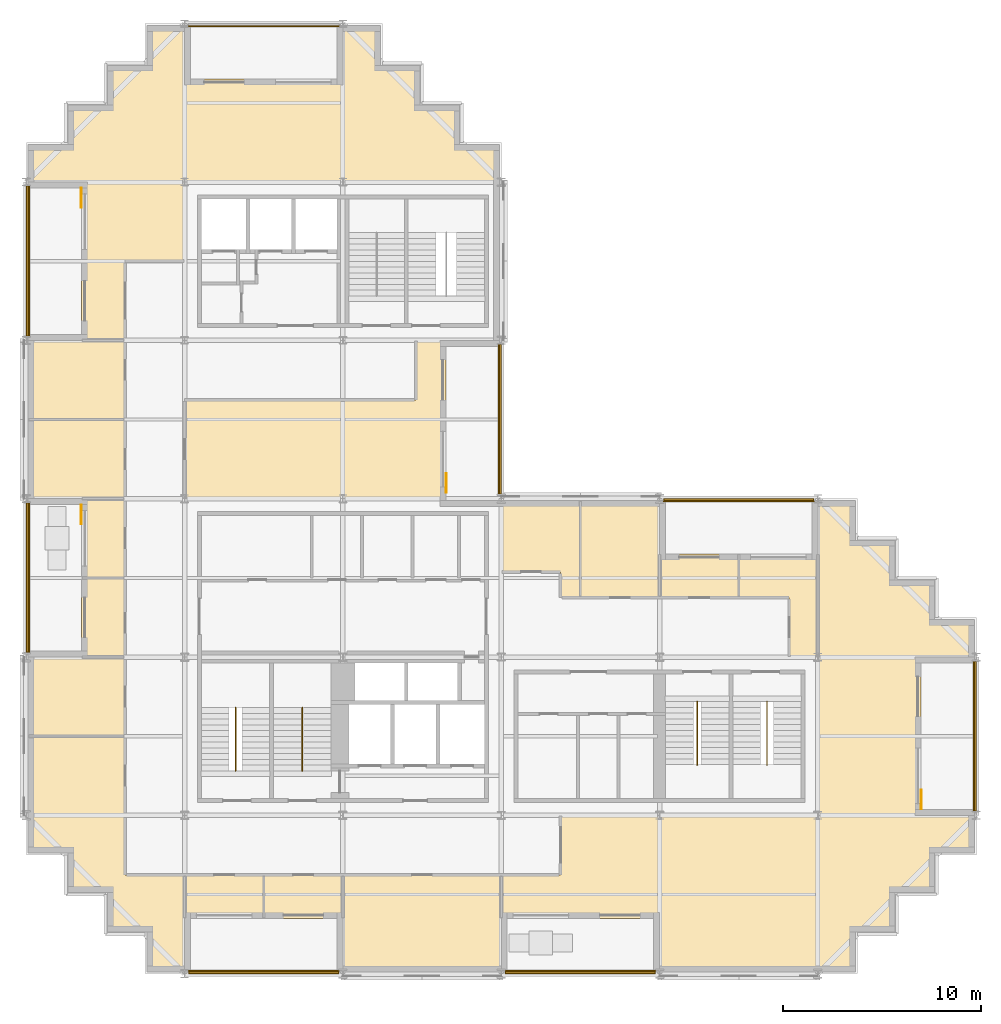
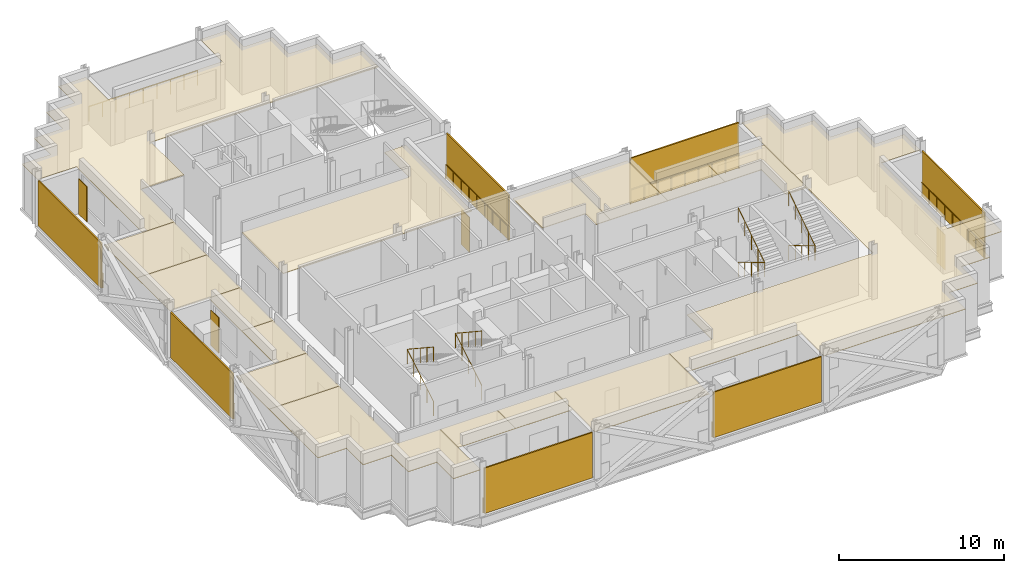
# One storey, part 10 of 12: 16 coverings, 12 railings, 11 shading devices.
"""IFC4 building model written with IfcOpenShell, lengths in metres."""

from ifc_helpers import new_model, si_unit, direction, frame, origin, origin_2d, place, context, subcontext, project, spatial, polyline, rectangle, circle, outline, extrude, material, layer, layer_set, type_object, element, save


model = new_model("IFC4")

# Units and contexts
model_context = context("Model", 3, precision=1e-05, world=origin(), true_north=direction((0.0, 1.0)))
body_context = subcontext(model_context, "Body", "Model", "MODEL_VIEW")
ifc_project = project(units=[si_unit("LENGTHUNIT", "METRE"), si_unit("AREAUNIT", "SQUARE_METRE"), si_unit("VOLUMEUNIT", "CUBIC_METRE"), si_unit("PLANEANGLEUNIT", "RADIAN"), si_unit("MASSUNIT", "GRAM", prefix="KILO")], contexts=[model_context])

# Site, building, storey
site_placement = place(None, origin())
site = spatial("IfcSite", under=ifc_project, at=site_placement, CompositionType="ELEMENT")
building_placement = place(site_placement, origin())
building = spatial("IfcBuilding", under=site, at=building_placement, Name="Immortelle Media Tower", CompositionType="ELEMENT")
storey_placement = place(building_placement, frame((0.0, 0.0, 136.800048828125)))
storey = spatial("IfcBuildingStorey", under=building, at=storey_placement, Name="L27", CompositionType="ELEMENT", Elevation=136.800048828125)

# Railings
ifc_material_1 = material(Name="Powder-coated aluminium fretwork panel, laminated glass backing", Category="aluminium")
railing_type_1 = type_object("IfcRailingType", Name="Fretwork balustrade 1100", PredefinedType="BALUSTRADE", material=ifc_material_1)
railing_1_placement = place(storey_placement, frame((8.20556640625, 0.139892578125, 0.0)))
element("IfcRailing", 1, at=railing_1_placement, inside=storey, type_object=railing_type_1, Name="Fretwork balustrade L27 S0", PredefinedType="BALUSTRADE", context=body_context, shape_type="SweptSolid", body=[
    extrude(circle(Radius=0.02490234375, at=origin_2d()), frame((0.0, 0.0, 1.0751953125), z_axis=(1.0, 0.0, 0.0), x_axis=(0.0, 1.0, 0.0)), (0.0, 0.0, 1.0), 7.58251953125),
    extrude(circle(Radius=0.02001953125, at=origin_2d()), origin(), (0.0, 0.0, 1.0), 1.050048828125),
    extrude(circle(Radius=0.02001953125, at=origin_2d()), frame((0.94775390625, 0.0, 0.0)), (0.0, 0.0, 1.0), 1.050048828125),
    extrude(circle(Radius=0.02001953125, at=origin_2d()), frame((1.8955078125, 0.0, 0.0)), (0.0, 0.0, 1.0), 1.050048828125),
    extrude(circle(Radius=0.02001953125, at=origin_2d()), frame((2.843505859375, 0.0, 0.0)), (0.0, 0.0, 1.0), 1.050048828125),
    extrude(circle(Radius=0.02001953125, at=origin_2d()), frame((3.791259765625, 0.0, 0.0)), (0.0, 0.0, 1.0), 1.050048828125),
    extrude(circle(Radius=0.02001953125, at=origin_2d()), frame((4.739013671875, 0.0, 0.0)), (0.0, 0.0, 1.0), 1.050048828125),
    extrude(circle(Radius=0.02001953125, at=origin_2d()), frame((5.68701171875, 0.0, 0.0)), (0.0, 0.0, 1.0), 1.050048828125),
    extrude(circle(Radius=0.02001953125, at=origin_2d()), frame((6.634765625, 0.0, 0.0)), (0.0, 0.0, 1.0), 1.050048828125),
    extrude(circle(Radius=0.02001953125, at=origin_2d()), frame((7.58251953125, 0.0, 0.0)), (0.0, 0.0, 1.0), 1.050048828125),
])
railing_2_placement = place(storey_placement, frame((24.2119140625, 0.139892578125, 0.0)))
element("IfcRailing", 2, at=railing_2_placement, inside=storey, type_object=railing_type_1, Name="Fretwork balustrade L27 S2", PredefinedType="BALUSTRADE", context=body_context, shape_type="SweptSolid", body=[
    extrude(circle(Radius=0.02490234375, at=origin_2d()), frame((0.0, 0.0, 1.0751953125), z_axis=(1.0, 0.0, 0.0), x_axis=(0.0, 1.0, 0.0)), (0.0, 0.0, 1.0), 7.576171875),
    extrude(circle(Radius=0.02001953125, at=origin_2d()), origin(), (0.0, 0.0, 1.0), 1.050048828125),
    extrude(circle(Radius=0.02001953125, at=origin_2d()), frame((0.947021484375, 0.0, 0.0)), (0.0, 0.0, 1.0), 1.050048828125),
    extrude(circle(Radius=0.02001953125, at=origin_2d()), frame((1.89404296875, 0.0, 0.0)), (0.0, 0.0, 1.0), 1.050048828125),
    extrude(circle(Radius=0.02001953125, at=origin_2d()), frame((2.841064453125, 0.0, 0.0)), (0.0, 0.0, 1.0), 1.050048828125),
    extrude(circle(Radius=0.02001953125, at=origin_2d()), frame((3.7880859375, 0.0, 0.0)), (0.0, 0.0, 1.0), 1.050048828125),
    extrude(circle(Radius=0.02001953125, at=origin_2d()), frame((4.735107421875, 0.0, 0.0)), (0.0, 0.0, 1.0), 1.050048828125),
    extrude(circle(Radius=0.02001953125, at=origin_2d()), frame((5.68212890625, 0.0, 0.0)), (0.0, 0.0, 1.0), 1.050048828125),
    extrude(circle(Radius=0.02001953125, at=origin_2d()), frame((6.629150390625, 0.0, 0.0)), (0.0, 0.0, 1.0), 1.050048828125),
    extrude(circle(Radius=0.02001953125, at=origin_2d()), frame((7.576171875, 0.0, 0.0)), (0.0, 0.0, 1.0), 1.050048828125),
])
railing_3_placement = place(storey_placement, frame((47.860107421875, 8.217041015625, 0.0)))
element("IfcRailing", 3, at=railing_3_placement, inside=storey, type_object=railing_type_1, Name="Fretwork balustrade L27 E0", PredefinedType="BALUSTRADE", context=body_context, shape_type="SweptSolid", body=[
    extrude(circle(Radius=0.02490234375, at=origin_2d()), frame((0.0, 0.0, 1.0751953125), z_axis=(0.0, 1.0, 0.0), x_axis=(-1.0, 0.0, 0.0)), (0.0, 0.0, 1.0), 7.56591796875),
    extrude(circle(Radius=0.02001953125, at=origin_2d()), origin(), (0.0, 0.0, 1.0), 1.050048828125),
    extrude(circle(Radius=0.02001953125, at=origin_2d()), frame((0.0, 0.94580078125, 0.0)), (0.0, 0.0, 1.0), 1.050048828125),
    extrude(circle(Radius=0.02001953125, at=origin_2d()), frame((0.0, 1.8916015625, 0.0)), (0.0, 0.0, 1.0), 1.050048828125),
    extrude(circle(Radius=0.02001953125, at=origin_2d()), frame((0.0, 2.837158203125, 0.0)), (0.0, 0.0, 1.0), 1.050048828125),
    extrude(circle(Radius=0.02001953125, at=origin_2d()), frame((0.0, 3.782958984375, 0.0)), (0.0, 0.0, 1.0), 1.050048828125),
    extrude(circle(Radius=0.02001953125, at=origin_2d()), frame((0.0, 4.728759765625, 0.0)), (0.0, 0.0, 1.0), 1.050048828125),
    extrude(circle(Radius=0.02001953125, at=origin_2d()), frame((0.0, 5.67431640625, 0.0)), (0.0, 0.0, 1.0), 1.050048828125),
    extrude(circle(Radius=0.02001953125, at=origin_2d()), frame((0.0, 6.6201171875, 0.0)), (0.0, 0.0, 1.0), 1.050048828125),
    extrude(circle(Radius=0.02001953125, at=origin_2d()), frame((0.0, 7.56591796875, 0.0)), (0.0, 0.0, 1.0), 1.050048828125),
])
railing_4_placement = place(storey_placement, frame((39.79443359375, 23.860107421875, 0.0)))
element("IfcRailing", 4, at=railing_4_placement, inside=storey, type_object=railing_type_1, Name="Fretwork balustrade L27 N0", PredefinedType="BALUSTRADE", context=body_context, shape_type="SweptSolid", body=[
    extrude(circle(Radius=0.02490234375, at=origin_2d()), frame((0.0, 0.0, 1.0751953125), z_axis=(-1.0, 0.0, 0.0), x_axis=(0.0, -1.0, 0.0)), (0.0, 0.0, 1.0), 7.58251953125),
    extrude(circle(Radius=0.02001953125, at=origin_2d()), origin(), (0.0, 0.0, 1.0), 1.050048828125),
    extrude(circle(Radius=0.02001953125, at=origin_2d()), frame((-0.94775390625, 0.0, 0.0)), (0.0, 0.0, 1.0), 1.050048828125),
    extrude(circle(Radius=0.02001953125, at=origin_2d()), frame((-1.8955078125, 0.0, 0.0)), (0.0, 0.0, 1.0), 1.050048828125),
    extrude(circle(Radius=0.02001953125, at=origin_2d()), frame((-2.843505859375, 0.0, 0.0)), (0.0, 0.0, 1.0), 1.050048828125),
    extrude(circle(Radius=0.02001953125, at=origin_2d()), frame((-3.791259765625, 0.0, 0.0)), (0.0, 0.0, 1.0), 1.050048828125),
    extrude(circle(Radius=0.02001953125, at=origin_2d()), frame((-4.739013671875, 0.0, 0.0)), (0.0, 0.0, 1.0), 1.050048828125),
    extrude(circle(Radius=0.02001953125, at=origin_2d()), frame((-5.68701171875, 0.0, 0.0)), (0.0, 0.0, 1.0), 1.050048828125),
    extrude(circle(Radius=0.02001953125, at=origin_2d()), frame((-6.634765625, 0.0, 0.0)), (0.0, 0.0, 1.0), 1.050048828125),
    extrude(circle(Radius=0.02001953125, at=origin_2d()), frame((-7.58251953125, 0.0, 0.0)), (0.0, 0.0, 1.0), 1.050048828125),
])
railing_5_placement = place(storey_placement, frame((23.860107421875, 24.237548828125, 0.0)))
element("IfcRailing", 5, at=railing_5_placement, inside=storey, type_object=railing_type_1, Name="Fretwork balustrade L27 E0", PredefinedType="BALUSTRADE", context=body_context, shape_type="SweptSolid", body=[
    extrude(circle(Radius=0.02490234375, at=origin_2d()), frame((0.0, 0.0, 1.0751953125), z_axis=(0.0, 1.0, 0.0), x_axis=(-1.0, 0.0, 0.0)), (0.0, 0.0, 1.0), 7.56298828125),
    extrude(circle(Radius=0.02001953125, at=origin_2d()), origin(), (0.0, 0.0, 1.0), 1.050048828125),
    extrude(circle(Radius=0.02001953125, at=origin_2d()), frame((0.0, 0.9453125, 0.0)), (0.0, 0.0, 1.0), 1.050048828125),
    extrude(circle(Radius=0.02001953125, at=origin_2d()), frame((0.0, 1.890625, 0.0)), (0.0, 0.0, 1.0), 1.050048828125),
    extrude(circle(Radius=0.02001953125, at=origin_2d()), frame((0.0, 2.836181640625, 0.0)), (0.0, 0.0, 1.0), 1.050048828125),
    extrude(circle(Radius=0.02001953125, at=origin_2d()), frame((0.0, 3.781494140625, 0.0)), (0.0, 0.0, 1.0), 1.050048828125),
    extrude(circle(Radius=0.02001953125, at=origin_2d()), frame((0.0, 4.726806640625, 0.0)), (0.0, 0.0, 1.0), 1.050048828125),
    extrude(circle(Radius=0.02001953125, at=origin_2d()), frame((0.0, 5.67236328125, 0.0)), (0.0, 0.0, 1.0), 1.050048828125),
    extrude(circle(Radius=0.02001953125, at=origin_2d()), frame((0.0, 6.61767578125, 0.0)), (0.0, 0.0, 1.0), 1.050048828125),
    extrude(circle(Radius=0.02001953125, at=origin_2d()), frame((0.0, 7.56298828125, 0.0)), (0.0, 0.0, 1.0), 1.050048828125),
])
railing_6_placement = place(storey_placement, frame((15.802978515625, 47.860107421875, 0.0)))
element("IfcRailing", 6, at=railing_6_placement, inside=storey, type_object=railing_type_1, Name="Fretwork balustrade L27 N0", PredefinedType="BALUSTRADE", context=body_context, shape_type="SweptSolid", body=[
    extrude(circle(Radius=0.02490234375, at=origin_2d()), frame((0.0, 0.0, 1.0751953125), z_axis=(-1.0, 0.0, 0.0), x_axis=(0.0, -1.0, 0.0)), (0.0, 0.0, 1.0), 7.60595703125),
    extrude(circle(Radius=0.02001953125, at=origin_2d()), origin(), (0.0, 0.0, 1.0), 1.050048828125),
    extrude(circle(Radius=0.02001953125, at=origin_2d()), frame((-0.95068359375, 0.0, 0.0)), (0.0, 0.0, 1.0), 1.050048828125),
    extrude(circle(Radius=0.02001953125, at=origin_2d()), frame((-1.9013671875, 0.0, 0.0)), (0.0, 0.0, 1.0), 1.050048828125),
    extrude(circle(Radius=0.02001953125, at=origin_2d()), frame((-2.852294921875, 0.0, 0.0)), (0.0, 0.0, 1.0), 1.050048828125),
    extrude(circle(Radius=0.02001953125, at=origin_2d()), frame((-3.802978515625, 0.0, 0.0)), (0.0, 0.0, 1.0), 1.050048828125),
    extrude(circle(Radius=0.02001953125, at=origin_2d()), frame((-4.753662109375, 0.0, 0.0)), (0.0, 0.0, 1.0), 1.050048828125),
    extrude(circle(Radius=0.02001953125, at=origin_2d()), frame((-5.70458984375, 0.0, 0.0)), (0.0, 0.0, 1.0), 1.050048828125),
    extrude(circle(Radius=0.02001953125, at=origin_2d()), frame((-6.6552734375, 0.0, 0.0)), (0.0, 0.0, 1.0), 1.050048828125),
    extrude(circle(Radius=0.02001953125, at=origin_2d()), frame((-7.60595703125, 0.0, 0.0)), (0.0, 0.0, 1.0), 1.050048828125),
])
railing_7_placement = place(storey_placement, frame((0.139892578125, 39.81201171875, 0.0)))
element("IfcRailing", 7, at=railing_7_placement, inside=storey, type_object=railing_type_1, Name="Fretwork balustrade L27 W0", PredefinedType="BALUSTRADE", context=body_context, shape_type="SweptSolid", body=[
    extrude(circle(Radius=0.02490234375, at=origin_2d()), frame((0.0, 0.0, 1.0751953125), z_axis=(0.0, -1.0, 0.0), x_axis=(1.0, 0.0, 0.0)), (0.0, 0.0, 1.0), 7.612548828125),
    extrude(circle(Radius=0.02001953125, at=origin_2d()), origin(), (0.0, 0.0, 1.0), 1.050048828125),
    extrude(circle(Radius=0.02001953125, at=origin_2d()), frame((0.0, -0.95166015625, 0.0)), (0.0, 0.0, 1.0), 1.050048828125),
    extrude(circle(Radius=0.02001953125, at=origin_2d()), frame((0.0, -1.903076171875, 0.0)), (0.0, 0.0, 1.0), 1.050048828125),
    extrude(circle(Radius=0.02001953125, at=origin_2d()), frame((0.0, -2.854736328125, 0.0)), (0.0, 0.0, 1.0), 1.050048828125),
    extrude(circle(Radius=0.02001953125, at=origin_2d()), frame((0.0, -3.80615234375, 0.0)), (0.0, 0.0, 1.0), 1.050048828125),
    extrude(circle(Radius=0.02001953125, at=origin_2d()), frame((0.0, -4.7578125, 0.0)), (0.0, 0.0, 1.0), 1.050048828125),
    extrude(circle(Radius=0.02001953125, at=origin_2d()), frame((0.0, -5.70947265625, 0.0)), (0.0, 0.0, 1.0), 1.050048828125),
    extrude(circle(Radius=0.02001953125, at=origin_2d()), frame((0.0, -6.660888671875, 0.0)), (0.0, 0.0, 1.0), 1.050048828125),
    extrude(circle(Radius=0.02001953125, at=origin_2d()), frame((0.0, -7.612548828125, 0.0)), (0.0, 0.0, 1.0), 1.050048828125),
])
railing_8_placement = place(storey_placement, frame((0.139892578125, 23.800537109375, 0.0)))
element("IfcRailing", 8, at=railing_8_placement, inside=storey, type_object=railing_type_1, Name="Fretwork balustrade L27 W2", PredefinedType="BALUSTRADE", context=body_context, shape_type="SweptSolid", body=[
    extrude(circle(Radius=0.02490234375, at=origin_2d()), frame((0.0, 0.0, 1.0751953125), z_axis=(0.0, -1.0, 0.0), x_axis=(1.0, 0.0, 0.0)), (0.0, 0.0, 1.0), 7.56298828125),
    extrude(circle(Radius=0.02001953125, at=origin_2d()), origin(), (0.0, 0.0, 1.0), 1.050048828125),
    extrude(circle(Radius=0.02001953125, at=origin_2d()), frame((0.0, -0.9453125, 0.0)), (0.0, 0.0, 1.0), 1.050048828125),
    extrude(circle(Radius=0.02001953125, at=origin_2d()), frame((0.0, -1.890625, 0.0)), (0.0, 0.0, 1.0), 1.050048828125),
    extrude(circle(Radius=0.02001953125, at=origin_2d()), frame((0.0, -2.836181640625, 0.0)), (0.0, 0.0, 1.0), 1.050048828125),
    extrude(circle(Radius=0.02001953125, at=origin_2d()), frame((0.0, -3.781494140625, 0.0)), (0.0, 0.0, 1.0), 1.050048828125),
    extrude(circle(Radius=0.02001953125, at=origin_2d()), frame((0.0, -4.726806640625, 0.0)), (0.0, 0.0, 1.0), 1.050048828125),
    extrude(circle(Radius=0.02001953125, at=origin_2d()), frame((0.0, -5.67236328125, 0.0)), (0.0, 0.0, 1.0), 1.050048828125),
    extrude(circle(Radius=0.02001953125, at=origin_2d()), frame((0.0, -6.61767578125, 0.0)), (0.0, 0.0, 1.0), 1.050048828125),
    extrude(circle(Radius=0.02001953125, at=origin_2d()), frame((0.0, -7.56298828125, 0.0)), (0.0, 0.0, 1.0), 1.050048828125),
])

# Shading devices
ifc_material_2 = material(Name="Pale aluminium louvre blades", Category="aluminium")
ifc_layer_1 = layer(ifc_material_2, 0.10009765625)
ifc_layer_set_1 = layer_set([ifc_layer_1], Name="Pale aluminium louvre blades")
shading_device_type_1 = type_object("IfcShadingDeviceType", Name="Jalousie screen 100", PredefinedType="JALOUSIE", material=ifc_layer_set_1)
shading_device_1_placement = place(storey_placement, frame((11.996826171875, 0.050048828125, 0.0), z_axis=(0.0, 0.0, 1.0), x_axis=(1.0, 0.0, 0.0)))
element("IfcShadingDevice", 9, at=shading_device_1_placement, inside=storey, type_object=shading_device_type_1, Name="Jalousie screen L27 S0", PredefinedType="JALOUSIE", context=body_context, shape_type="SweptSolid", body=[
    extrude(rectangle(XDim=7.58251953125, YDim=0.10009765625, at=origin_2d()), origin(), (0.0, 0.0, 1.0), 3.35693359375),
])
shading_device_2_placement = place(storey_placement, frame((28.0, 0.050048828125, 0.0), z_axis=(0.0, 0.0, 1.0), x_axis=(1.0, 0.0, 0.0)))
element("IfcShadingDevice", 10, at=shading_device_2_placement, inside=storey, type_object=shading_device_type_1, Name="Jalousie screen L27 S2", PredefinedType="JALOUSIE", context=body_context, shape_type="SweptSolid", body=[
    extrude(rectangle(XDim=7.575927734375, YDim=0.10009765625, at=origin_2d()), origin(), (0.0, 0.0, 1.0), 3.35693359375),
])
shading_device_3_placement = place(storey_placement, frame((47.949951171875, 12.0, 0.0), z_axis=(0.0, 0.0, 1.0), x_axis=(0.0, 1.0, 0.0)))
element("IfcShadingDevice", 11, at=shading_device_3_placement, inside=storey, type_object=shading_device_type_1, Name="Jalousie screen L27 E0", PredefinedType="JALOUSIE", context=body_context, shape_type="SweptSolid", body=[
    extrude(rectangle(XDim=7.56591796875, YDim=0.10009765625, at=origin_2d()), origin(), (0.0, 0.0, 1.0), 3.35693359375),
])
shading_device_4_placement = place(storey_placement, frame((36.003173828125, 23.949951171875, 0.0), z_axis=(0.0, 0.0, 1.0), x_axis=(-1.0, 0.0, 0.0)))
element("IfcShadingDevice", 12, at=shading_device_4_placement, inside=storey, type_object=shading_device_type_1, Name="Jalousie screen L27 N0", PredefinedType="JALOUSIE", context=body_context, shape_type="SweptSolid", body=[
    extrude(rectangle(XDim=7.58251953125, YDim=0.10009765625, at=origin_2d()), origin(), (0.0, 0.0, 1.0), 3.35693359375),
])
shading_device_5_placement = place(storey_placement, frame((23.949951171875, 28.01904296875, 0.0), z_axis=(0.0, 0.0, 1.0), x_axis=(0.0, 1.0, 0.0)))
element("IfcShadingDevice", 13, at=shading_device_5_placement, inside=storey, type_object=shading_device_type_1, Name="Jalousie screen L27 E0", PredefinedType="JALOUSIE", context=body_context, shape_type="SweptSolid", body=[
    extrude(rectangle(XDim=7.56298828125, YDim=0.10009765625, at=origin_2d()), origin(), (0.0, 0.0, 1.0), 3.35693359375),
])
shading_device_6_placement = place(storey_placement, frame((0.050048828125, 36.005859375, 0.0), z_axis=(0.0, 0.0, 1.0), x_axis=(0.0, -1.0, 0.0)))
element("IfcShadingDevice", 14, at=shading_device_6_placement, inside=storey, type_object=shading_device_type_1, Name="Jalousie screen L27 W0", PredefinedType="JALOUSIE", context=body_context, shape_type="SweptSolid", body=[
    extrude(rectangle(XDim=7.612548828125, YDim=0.10009765625, at=origin_2d()), origin(), (0.0, 0.0, 1.0), 3.35693359375),
])
shading_device_7_placement = place(storey_placement, frame((0.050048828125, 20.01904296875, 0.0), z_axis=(0.0, 0.0, 1.0), x_axis=(0.0, -1.0, 0.0)))
element("IfcShadingDevice", 15, at=shading_device_7_placement, inside=storey, type_object=shading_device_type_1, Name="Jalousie screen L27 W2", PredefinedType="JALOUSIE", context=body_context, shape_type="SweptSolid", body=[
    extrude(rectangle(XDim=7.56298828125, YDim=0.10009765625, at=origin_2d()), origin(), (0.0, 0.0, 1.0), 3.35693359375),
])
ifc_material_3 = material(Name="Pale aluminium louvre blades in a folding frame", Category="aluminium")
ifc_layer_2 = layer(ifc_material_3, 0.050048828125)
ifc_layer_set_2 = layer_set([ifc_layer_2], Name="Pale aluminium louvre blades in a folding frame")
shading_device_type_2 = type_object("IfcShadingDeviceType", Name="Louvred loggia shutter", PredefinedType="SHUTTER", material=ifc_layer_set_2)
for number, where, z_axis, x_axis, name in (
    (16, (45.22509765625, 8.800048828125, 0.0), (0.0, 0.0, 1.0), (0.0, 1.0, 0.0), "Loggia shutter L27 E0"),
    (17, (21.22509765625, 24.800048828125, 0.0), (0.0, 0.0, 1.0), (0.0, 1.0, 0.0), "Loggia shutter L27 E0"),
    (18, (2.77490234375, 39.199951171875, 0.0), (0.0, 0.0, 1.0), (0.0, -1.0, 0.0), "Loggia shutter L27 W0"),
    (19, (2.77490234375, 23.199951171875, 0.0), (0.0, 0.0, 1.0), (0.0, -1.0, 0.0), "Loggia shutter L27 W2"),
):
    element("IfcShadingDevice", number, at=place(storey_placement, frame(where, z_axis=z_axis, x_axis=x_axis)), inside=storey, type_object=shading_device_type_2, Name=name, PredefinedType="SHUTTER", context=body_context, shape_type="SweptSolid", body=[
        extrude(rectangle(XDim=1.0, YDim=0.050048828125, at=origin_2d()), origin(), (0.0, 0.0, 1.0), 2.60009765625),
    ])

# Railings
ifc_material_4 = material(Name="Stainless steel AISI 316", Category="steel")
railing_type_2 = type_object("IfcRailingType", Name="Stair guard 1100", PredefinedType="GUARDRAIL", material=ifc_material_4)
for number, where, name in (
    (20, (10.574951171875, 10.25, 0.175048828125), "Stair guard SW1"),
    (21, (13.949951171875, 10.25, 0.175048828125), "Stair guard SW2"),
):
    element("IfcRailing", number, at=place(storey_placement, frame(where)), inside=storey, type_object=railing_type_2, Name=name, PredefinedType="GUARDRAIL", context=body_context, shape_type="SweptSolid", body=[
        extrude(circle(Radius=0.02392578125, at=origin_2d()), frame((0.0, 0.0, 1.076171875), z_axis=(0.0, 0.856206652436, 0.516633495163), x_axis=(-1.0, 0.0, 0.0)), (0.0, 0.0, 1.0), 3.7255859375),
        extrude(circle(Radius=0.02392578125, at=origin_2d()), frame((0.0, 3.18994140625, 3.0009765625), z_axis=(0.0, -0.835242474824, 0.549881812983), x_axis=(1.0, 0.0, 0.0)), (0.0, 0.0, 1.0), 3.819091796875),
        extrude(circle(Radius=0.02099609375, at=origin_2d()), origin(), (0.0, 0.0, 1.0), 1.052001953125),
        extrude(circle(Radius=0.02099609375, at=origin_2d()), frame((0.0, 0.79736328125, 0.481201171875)), (0.0, 0.0, 1.0), 1.052001953125),
        extrude(circle(Radius=0.02099609375, at=origin_2d()), frame((0.0, 1.594970703125, 0.96240234375)), (0.0, 0.0, 1.0), 1.052001953125),
        extrude(circle(Radius=0.02099609375, at=origin_2d()), frame((0.0, 2.392578125, 1.443603515625)), (0.0, 0.0, 1.0), 1.052001953125),
        extrude(circle(Radius=0.02099609375, at=origin_2d()), frame((0.0, 3.18994140625, 1.9248046875)), (0.0, 0.0, 1.0), 1.052001953125),
        extrude(circle(Radius=0.02099609375, at=origin_2d()), frame((0.0, 2.392578125, 2.44970703125)), (0.0, 0.0, 1.0), 1.052001953125),
        extrude(circle(Radius=0.02099609375, at=origin_2d()), frame((0.0, 1.594970703125, 2.974853515625)), (0.0, 0.0, 1.0), 1.052001953125),
        extrude(circle(Radius=0.02099609375, at=origin_2d()), frame((0.0, 0.79736328125, 3.5)), (0.0, 0.0, 1.0), 1.052001953125),
        extrude(circle(Radius=0.02099609375, at=origin_2d()), frame((0.0, 0.0, 4.02490234375)), (0.0, 0.0, 1.0), 1.052001953125),
    ])
for number, where, name in (
    (22, (33.89990234375, 13.75, 0.175048828125), "Stair guard SE1"),
    (23, (37.425048828125, 13.75, 0.175048828125), "Stair guard SE2"),
):
    element("IfcRailing", number, at=place(storey_placement, frame(where)), inside=storey, type_object=railing_type_2, Name=name, PredefinedType="GUARDRAIL", context=body_context, shape_type="SweptSolid", body=[
        extrude(circle(Radius=0.02392578125, at=origin_2d()), frame((0.0, 0.0, 1.076171875), z_axis=(0.0, -0.856206652436, 0.516633495163), x_axis=(1.0, 0.0, 0.0)), (0.0, 0.0, 1.0), 3.7255859375),
        extrude(circle(Radius=0.02392578125, at=origin_2d()), frame((0.0, -3.18994140625, 3.0009765625), z_axis=(0.0, 0.835242474824, 0.549881812983), x_axis=(-1.0, 0.0, 0.0)), (0.0, 0.0, 1.0), 3.819091796875),
        extrude(circle(Radius=0.02099609375, at=origin_2d()), origin(), (0.0, 0.0, 1.0), 1.052001953125),
        extrude(circle(Radius=0.02099609375, at=origin_2d()), frame((0.0, -0.79736328125, 0.481201171875)), (0.0, 0.0, 1.0), 1.052001953125),
        extrude(circle(Radius=0.02099609375, at=origin_2d()), frame((0.0, -1.594970703125, 0.96240234375)), (0.0, 0.0, 1.0), 1.052001953125),
        extrude(circle(Radius=0.02099609375, at=origin_2d()), frame((0.0, -2.392578125, 1.443603515625)), (0.0, 0.0, 1.0), 1.052001953125),
        extrude(circle(Radius=0.02099609375, at=origin_2d()), frame((0.0, -3.18994140625, 1.9248046875)), (0.0, 0.0, 1.0), 1.052001953125),
        extrude(circle(Radius=0.02099609375, at=origin_2d()), frame((0.0, -2.392578125, 2.44970703125)), (0.0, 0.0, 1.0), 1.052001953125),
        extrude(circle(Radius=0.02099609375, at=origin_2d()), frame((0.0, -1.594970703125, 2.974853515625)), (0.0, 0.0, 1.0), 1.052001953125),
        extrude(circle(Radius=0.02099609375, at=origin_2d()), frame((0.0, -0.79736328125, 3.5)), (0.0, 0.0, 1.0), 1.052001953125),
        extrude(circle(Radius=0.02099609375, at=origin_2d()), frame((0.0, 0.0, 4.02490234375)), (0.0, 0.0, 1.0), 1.052001953125),
    ])

# Coverings
ifc_material_5 = material(Name="Mineral fibre tile ceiling")
ifc_layer_3 = layer(ifc_material_5, 0.050048828125)
ifc_layer_set_3 = layer_set([ifc_layer_3], Name="Mineral fibre tile ceiling")
covering_type = type_object("IfcCoveringType", Name="Suspended ceiling 50", PredefinedType="CEILING", material=ifc_layer_set_3)
covering_1_placement = place(storey_placement, frame((0.0, 0.0, 3.238037109375)))
element("IfcCovering", 24, at=covering_1_placement, inside=storey, type_object=covering_type, Name="Ceiling L27-001", PredefinedType="CEILING", context=body_context, shape_type="SweptSolid", body=[
    extrude(outline(polyline([(16.0, 0.10009765625), (16.0, 2.800048828125), (16.0, 5.0), (24.0, 5.0), (24.0, 2.800048828125), (24.0, 0.10009765625), (16.0, 0.10009765625)])), origin(), (0.0, 0.0, 1.0), 0.0498046875),
])
covering_2_placement = place(storey_placement, frame((0.0, 0.0, 3.238037109375)))
element("IfcCovering", 25, at=covering_2_placement, inside=storey, type_object=covering_type, Name="Ceiling L27-002", PredefinedType="CEILING", context=body_context, shape_type="SweptSolid", body=[
    extrude(outline(polyline([(8.0, 5.0), (12.0, 5.0), (12.0, 2.800048828125), (8.0, 2.800048828125), (8.0, 5.0)])), origin(), (0.0, 0.0, 1.0), 0.0498046875),
])
covering_3_placement = place(storey_placement, frame((0.0, 0.0, 3.238037109375)))
element("IfcCovering", 26, at=covering_3_placement, inside=storey, type_object=covering_type, Name="Ceiling L27-003", PredefinedType="CEILING", context=body_context, shape_type="SweptSolid", body=[
    extrude(outline(polyline([(16.0, 5.0), (16.0, 2.800048828125), (12.0, 2.800048828125), (12.0, 5.0), (16.0, 5.0)])), origin(), (0.0, 0.0, 1.0), 0.0498046875),
])
covering_4_placement = place(storey_placement, frame((0.0, 0.0, 3.238037109375)))
element("IfcCovering", 27, at=covering_4_placement, inside=storey, type_object=covering_type, Name="Ceiling L27-004", PredefinedType="CEILING", context=body_context, shape_type="SweptSolid", body=[
    extrude(outline(polyline([(27.0, 5.0), (27.0, 8.0), (32.0, 8.0), (40.0, 8.0), (40.0, 16.0), (40.0, 21.199951171875), (40.0, 23.89990234375), (41.89990234375, 23.89990234375), (41.89990234375, 21.89990234375), (43.89990234375, 21.89990234375), (43.89990234375, 19.89990234375), (45.89990234375, 19.89990234375), (45.89990234375, 17.89990234375), (47.89990234375, 17.89990234375), (47.89990234375, 16.0), (45.199951171875, 16.0), (45.199951171875, 8.0), (47.89990234375, 8.0), (47.89990234375, 6.10009765625), (45.89990234375, 6.10009765625), (45.89990234375, 4.10009765625), (43.89990234375, 4.10009765625), (43.89990234375, 2.10009765625), (41.89990234375, 2.10009765625), (41.89990234375, 0.10009765625), (40.0, 0.10009765625), (32.0, 0.10009765625), (32.0, 2.800048828125), (24.0, 2.800048828125), (24.0, 5.0), (27.0, 5.0)])), origin(), (0.0, 0.0, 1.0), 0.0498046875),
])
covering_5_placement = place(storey_placement, frame((0.0, 0.0, 3.238037109375)))
element("IfcCovering", 28, at=covering_5_placement, inside=storey, type_object=covering_type, Name="Ceiling L27-005", PredefinedType="CEILING", context=body_context, shape_type="SweptSolid", body=[
    extrude(outline(polyline([(4.10009765625, 2.10009765625), (4.10009765625, 4.10009765625), (2.10009765625, 4.10009765625), (2.10009765625, 6.10009765625), (0.10009765625, 6.10009765625), (0.10009765625, 8.0), (0.10009765625, 12.0), (5.0, 12.0), (5.0, 8.0), (5.0, 5.0), (8.0, 5.0), (8.0, 2.800048828125), (8.0, 0.10009765625), (6.10009765625, 0.10009765625), (6.10009765625, 2.10009765625), (4.10009765625, 2.10009765625)])), origin(), (0.0, 0.0, 1.0), 0.0498046875),
])
covering_6_placement = place(storey_placement, frame((0.0, 0.0, 3.238037109375)))
element("IfcCovering", 29, at=covering_6_placement, inside=storey, type_object=covering_type, Name="Ceiling L27-006", PredefinedType="CEILING", context=body_context, shape_type="SweptSolid", body=[
    extrude(outline(polyline([(0.10009765625, 16.0), (2.800048828125, 16.0), (5.0, 16.0), (5.0, 12.0), (0.10009765625, 12.0), (0.10009765625, 16.0)])), origin(), (0.0, 0.0, 1.0), 0.0498046875),
])
covering_7_placement = place(storey_placement, frame((0.0, 0.0, 3.238037109375)))
element("IfcCovering", 30, at=covering_7_placement, inside=storey, type_object=covering_type, Name="Ceiling L27-007", PredefinedType="CEILING", context=body_context, shape_type="SweptSolid", body=[
    extrude(outline(polyline([(32.0, 19.0), (32.0, 21.199951171875), (36.0, 21.199951171875), (36.0, 19.0), (32.0, 19.0)])), origin(), (0.0, 0.0, 1.0), 0.0498046875),
])
covering_8_placement = place(storey_placement, frame((0.0, 0.0, 3.238037109375)))
element("IfcCovering", 31, at=covering_8_placement, inside=storey, type_object=covering_type, Name="Ceiling L27-008", PredefinedType="CEILING", context=body_context, shape_type="SweptSolid", body=[
    extrude(outline(polyline([(38.550048828125, 19.0), (36.0, 19.0), (36.0, 21.199951171875), (40.0, 21.199951171875), (40.0, 16.0), (38.550048828125, 16.0), (38.550048828125, 19.0)])), origin(), (0.0, 0.0, 1.0), 0.0498046875),
])
covering_9_placement = place(storey_placement, frame((0.0, 0.0, 3.238037109375)))
element("IfcCovering", 32, at=covering_9_placement, inside=storey, type_object=covering_type, Name="Ceiling L27-009", PredefinedType="CEILING", context=body_context, shape_type="SweptSolid", body=[
    extrude(outline(polyline([(5.0, 16.0), (2.800048828125, 16.0), (2.800048828125, 20.0), (5.0, 20.0), (5.0, 19.449951171875), (5.0, 16.0)])), origin(), (0.0, 0.0, 1.0), 0.0498046875),
])
covering_10_placement = place(storey_placement, frame((0.0, 0.0, 3.238037109375)))
element("IfcCovering", 33, at=covering_10_placement, inside=storey, type_object=covering_type, Name="Ceiling L27-010", PredefinedType="CEILING", context=body_context, shape_type="SweptSolid", body=[
    extrude(outline(polyline([(2.800048828125, 24.0), (5.0, 24.0), (5.0, 20.0), (2.800048828125, 20.0), (2.800048828125, 24.0)])), origin(), (0.0, 0.0, 1.0), 0.0498046875),
])
covering_11_placement = place(storey_placement, frame((0.0, 0.0, 3.238037109375)))
element("IfcCovering", 34, at=covering_11_placement, inside=storey, type_object=covering_type, Name="Ceiling L27-011", PredefinedType="CEILING", context=body_context, shape_type="SweptSolid", body=[
    extrude(outline(polyline([(27.0, 20.300048828125), (24.0, 20.300048828125), (24.0, 23.89990234375), (28.0, 23.89990234375), (28.0, 19.0), (27.0, 19.0), (27.0, 20.300048828125)])), origin(), (0.0, 0.0, 1.0), 0.0498046875),
])
covering_12_placement = place(storey_placement, frame((0.0, 0.0, 3.238037109375)))
element("IfcCovering", 35, at=covering_12_placement, inside=storey, type_object=covering_type, Name="Ceiling L27-012", PredefinedType="CEILING", context=body_context, shape_type="SweptSolid", body=[
    extrude(outline(polyline([(32.0, 23.89990234375), (32.0, 21.199951171875), (32.0, 19.0), (28.0, 19.0), (28.0, 23.89990234375), (32.0, 23.89990234375)])), origin(), (0.0, 0.0, 1.0), 0.0498046875),
])
covering_13_placement = place(storey_placement, frame((0.0, 0.0, 3.238037109375)))
element("IfcCovering", 36, at=covering_13_placement, inside=storey, type_object=covering_type, Name="Ceiling L27-013", PredefinedType="CEILING", context=body_context, shape_type="SweptSolid", body=[
    extrude(outline(polyline([(8.0, 29.0), (12.199951171875, 29.0), (12.39990234375, 29.0), (16.0, 29.0), (19.699951171875, 29.0), (19.699951171875, 32.0), (21.199951171875, 32.0), (21.199951171875, 24.0), (16.0, 24.0), (8.0, 24.0), (8.0, 29.0)])), origin(), (0.0, 0.0, 1.0), 0.0498046875),
])
covering_14_placement = place(storey_placement, frame((0.0, 0.0, 3.238037109375)))
element("IfcCovering", 37, at=covering_14_placement, inside=storey, type_object=covering_type, Name="Ceiling L27-014", PredefinedType="CEILING", context=body_context, shape_type="SweptSolid", body=[
    extrude(outline(polyline([(5.0, 24.0), (2.800048828125, 24.0), (0.10009765625, 24.0), (0.10009765625, 28.0), (5.0, 28.0), (5.0, 24.0)])), origin(), (0.0, 0.0, 1.0), 0.0498046875),
])
covering_15_placement = place(storey_placement, frame((0.0, 0.0, 3.238037109375)))
element("IfcCovering", 38, at=covering_15_placement, inside=storey, type_object=covering_type, Name="Ceiling L27-015", PredefinedType="CEILING", context=body_context, shape_type="SweptSolid", body=[
    extrude(outline(polyline([(5.0, 28.0), (0.10009765625, 28.0), (0.10009765625, 32.0), (2.800048828125, 32.0), (5.0, 32.0), (5.0, 29.0), (5.0, 28.0)])), origin(), (0.0, 0.0, 1.0), 0.0498046875),
])
covering_16_placement = place(storey_placement, frame((0.0, 0.0, 3.238037109375)))
element("IfcCovering", 39, at=covering_16_placement, inside=storey, type_object=covering_type, Name="Ceiling L27-016", PredefinedType="CEILING", context=body_context, shape_type="SweptSolid", body=[
    extrude(outline(polyline([(2.800048828125, 40.0), (0.10009765625, 40.0), (0.10009765625, 41.89990234375), (2.10009765625, 41.89990234375), (2.10009765625, 43.89990234375), (4.10009765625, 43.89990234375), (4.10009765625, 45.89990234375), (6.10009765625, 45.89990234375), (6.10009765625, 47.89990234375), (8.0, 47.89990234375), (8.0, 45.199951171875), (16.0, 45.199951171875), (16.0, 47.89990234375), (17.89990234375, 47.89990234375), (17.89990234375, 45.89990234375), (19.89990234375, 45.89990234375), (19.89990234375, 43.89990234375), (21.89990234375, 43.89990234375), (21.89990234375, 41.89990234375), (23.89990234375, 41.89990234375), (23.89990234375, 40.0), (16.0, 40.0), (8.0, 40.0), (8.0, 36.0), (5.0, 36.0), (5.0, 32.0), (2.800048828125, 32.0), (2.800048828125, 40.0)])), origin(), (0.0, 0.0, 1.0), 0.0498046875),
])

save(model, "model.ifc")
